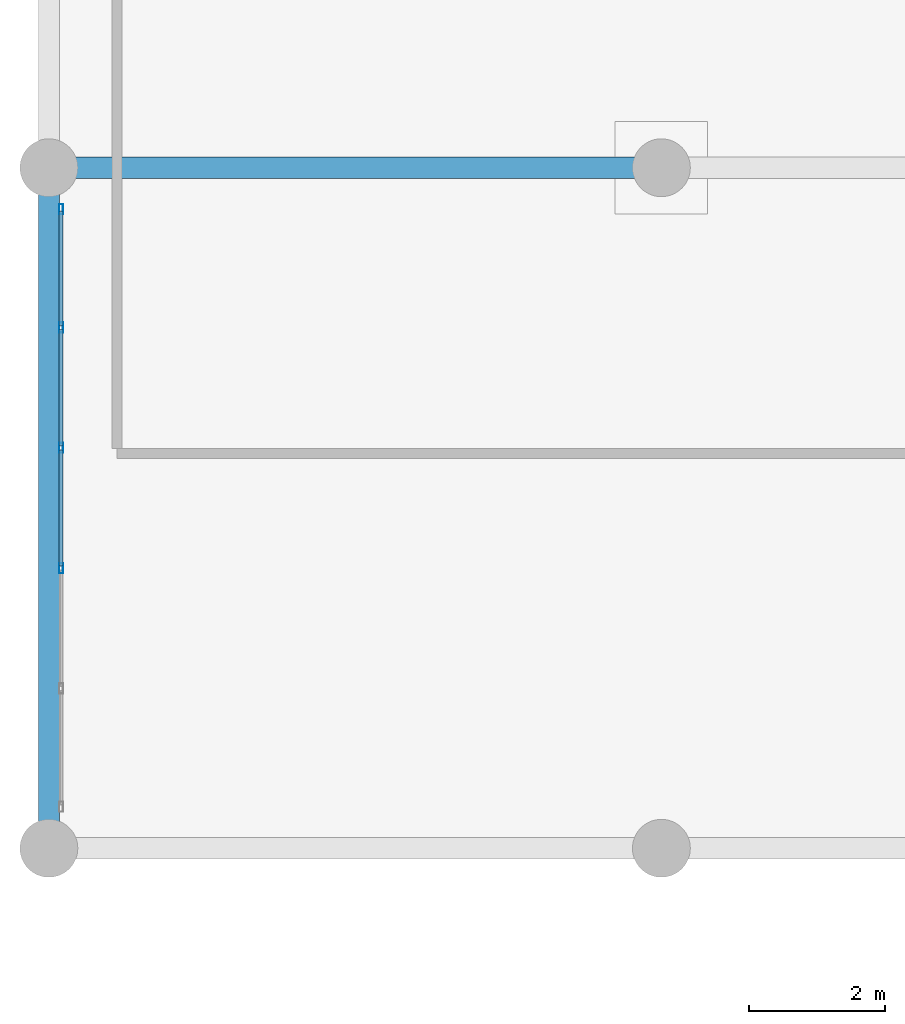
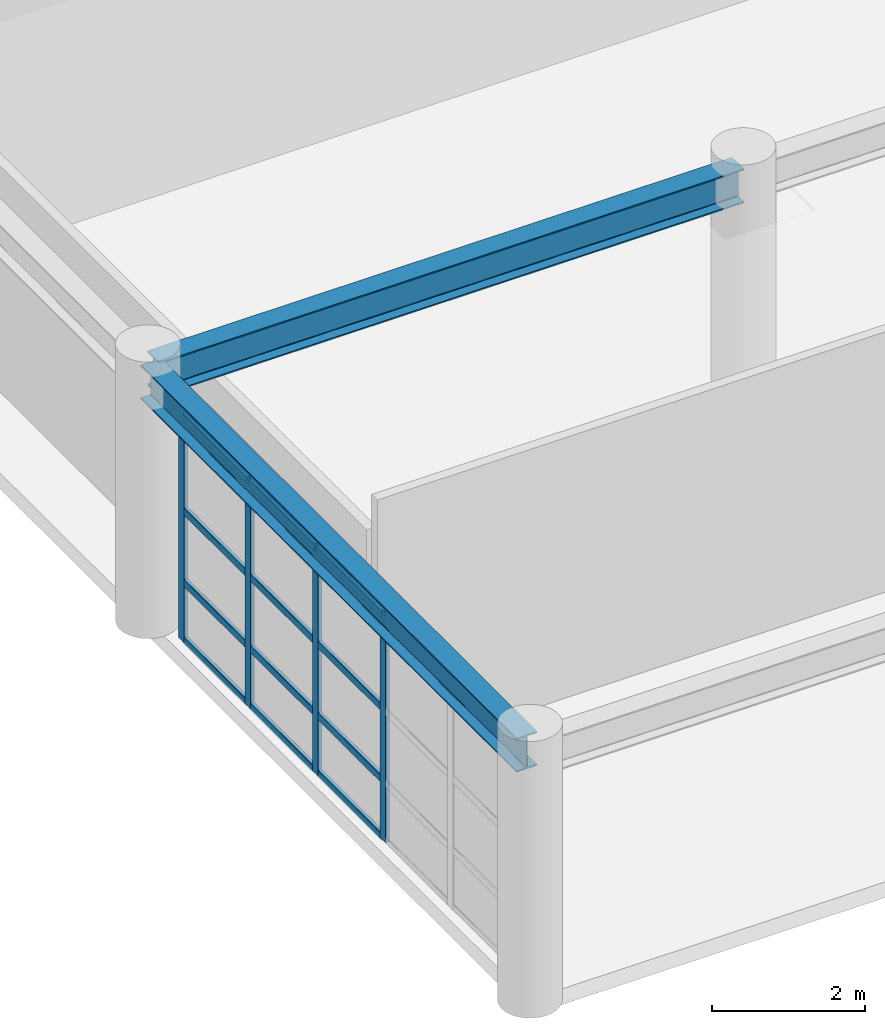
# One storey, part 52 of 133: 16 members, 2 beams, 1 element without a shape of its own.
"""IFC4 building model written with IfcOpenShell, lengths in metres."""

from ifc_helpers import new_model, si_unit, direction, frame, origin, origin_2d, place, context, subcontext, project, spatial, hollow_rectangle, i_section, extrude, material, material_profile, profile_set, type_object, element, aggregate, save


model = new_model("IFC4")

# Units and contexts
model_context = context("Model", 3, precision=1e-05, world=origin(), true_north=direction((0.0, 1.0)))
body_context = subcontext(model_context, "Body", "Model", "MODEL_VIEW")
ifc_project = project(units=[si_unit("LENGTHUNIT", "METRE"), si_unit("AREAUNIT", "SQUARE_METRE"), si_unit("VOLUMEUNIT", "CUBIC_METRE"), si_unit("PLANEANGLEUNIT", "RADIAN"), si_unit("MASSUNIT", "GRAM", prefix="KILO")], contexts=[model_context])

# Site, building, storey
site_placement = place(None, origin())
site = spatial("IfcSite", under=ifc_project, at=site_placement, CompositionType="ELEMENT")
building_placement = place(site_placement, origin())
building = spatial("IfcBuilding", under=site, at=building_placement, Name="Miravela Opera House", CompositionType="ELEMENT")
storey_placement = place(building_placement, frame((0.0, 0.0, 5.10009765625)))
storey = spatial("IfcBuildingStorey", under=building, at=storey_placement, Name="L01", CompositionType="ELEMENT", Elevation=5.10009765625)

# Curtain wall, members
ifc_material_1 = material(Name="Anodised architectural bronze aluminium 6063-T6", Category="aluminium")
curtain_wall_type = type_object("IfcCurtainWallType", Name="ARC-CW-07", PredefinedType="NOTDEFINED", material=ifc_material_1)
curtain_wall_placement = place(storey_placement, origin())
curtain_wall = element("IfcCurtainWall", 1, at=curtain_wall_placement, inside=storey, type_object=curtain_wall_type, Name="Courtyard Arcade Curtain Wall CW-L01-199", PredefinedType="NOTDEFINED")
ifc_material_profile_1 = material_profile(ifc_material_1, hollow_rectangle(XDim=0.06005859375, YDim=0.14990234375, WallThickness=0.00390625, InnerFilletRadius=0.001953125, OuterFilletRadius=0.00390625, at=origin_2d()), Name="CWM-60X150")
ifc_profile_set_1 = profile_set([ifc_material_profile_1])
member_type_1 = type_object("IfcMemberType", Name="ARC-CWM-150", PredefinedType="MULLION", material=ifc_profile_set_1)
member_1_placement = place(storey_placement, frame((0.179931640625, 88.115966796875, 0.0), z_axis=(0.0, 0.0, 1.0), x_axis=(-1.0, 0.0, 0.0)))
member_1 = element("IfcMember", 2, at=member_1_placement, type_object=member_type_1, Name="CW-07 mullion 3", PredefinedType="MULLION", context=body_context, shape_type="SweptSolid", body=[
    extrude(hollow_rectangle(XDim=0.06005859375, YDim=0.14990234375, WallThickness=0.00390625, InnerFilletRadius=0.001953125, OuterFilletRadius=0.00390625, at=origin_2d()), origin(), (0.0, 0.0, 1.0), 3.60986328125),
])
member_2_placement = place(storey_placement, frame((0.179931640625, 89.884033203125, 0.0), z_axis=(0.0, 0.0, 1.0), x_axis=(-1.0, 0.0, 0.0)))
member_2 = element("IfcMember", 3, at=member_2_placement, type_object=member_type_1, Name="CW-07 mullion 4", PredefinedType="MULLION", context=body_context, shape_type="SweptSolid", body=[
    extrude(hollow_rectangle(XDim=0.06005859375, YDim=0.14990234375, WallThickness=0.00390625, InnerFilletRadius=0.001953125, OuterFilletRadius=0.00390625, at=origin_2d()), origin(), (0.0, 0.0, 1.0), 3.60986328125),
])
member_3_placement = place(storey_placement, frame((0.179931640625, 91.652099609375, 0.0), z_axis=(0.0, 0.0, 1.0), x_axis=(-1.0, 0.0, 0.0)))
member_3 = element("IfcMember", 4, at=member_3_placement, type_object=member_type_1, Name="CW-07 mullion 5", PredefinedType="MULLION", context=body_context, shape_type="SweptSolid", body=[
    extrude(hollow_rectangle(XDim=0.06005859375, YDim=0.14990234375, WallThickness=0.00390625, InnerFilletRadius=0.001953125, OuterFilletRadius=0.00390625, at=origin_2d()), origin(), (0.0, 0.0, 1.0), 3.60986328125),
])
member_4_placement = place(storey_placement, frame((0.179931640625, 93.389892578125, 0.0), z_axis=(0.0, 0.0, 1.0), x_axis=(-1.0, 0.0, 0.0)))
member_4 = element("IfcMember", 5, at=member_4_placement, type_object=member_type_1, Name="CW-07 mullion 6", PredefinedType="MULLION", context=body_context, shape_type="SweptSolid", body=[
    extrude(hollow_rectangle(XDim=0.06005859375, YDim=0.14990234375, WallThickness=0.00390625, InnerFilletRadius=0.001953125, OuterFilletRadius=0.00390625, at=origin_2d()), origin(), (0.0, 0.0, 1.0), 3.60986328125),
])
ifc_material_profile_2 = material_profile(ifc_material_1, hollow_rectangle(XDim=0.06005859375, YDim=0.114990234375, WallThickness=0.00390625, InnerFilletRadius=0.001953125, OuterFilletRadius=0.00390625, at=origin_2d()), Name="CWT-60X115")
ifc_profile_set_2 = profile_set([ifc_material_profile_2])
member_type_2 = type_object("IfcMemberType", Name="ARC-CWT-115", PredefinedType="USERDEFINED", material=ifc_profile_set_2)
member_5_placement = place(storey_placement, frame((0.179931640625, 88.14599609375, 0.02978515625), z_axis=(0.0, 1.0, 0.0), x_axis=(-1.0, 0.0, 0.0)))
member_5 = element("IfcMember", 6, at=member_5_placement, type_object=member_type_2, Name="CW-07 transom 3.1", ObjectType="TRANSOM", PredefinedType="USERDEFINED", context=body_context, shape_type="SweptSolid", body=[
    extrude(hollow_rectangle(XDim=0.06005859375, YDim=0.114990234375, WallThickness=0.00390625, InnerFilletRadius=0.001953125, OuterFilletRadius=0.00390625, at=origin_2d()), origin(), (0.0, 0.0, 1.0), 1.7080078125),
])
member_6_placement = place(storey_placement, frame((0.179931640625, 88.14599609375, 0.949951171875), z_axis=(0.0, 1.0, 0.0), x_axis=(-1.0, 0.0, 0.0)))
member_6 = element("IfcMember", 7, at=member_6_placement, type_object=member_type_2, Name="CW-07 transom 3.2", ObjectType="TRANSOM", PredefinedType="USERDEFINED", context=body_context, shape_type="SweptSolid", body=[
    extrude(hollow_rectangle(XDim=0.06005859375, YDim=0.114990234375, WallThickness=0.00390625, InnerFilletRadius=0.001953125, OuterFilletRadius=0.00390625, at=origin_2d()), origin(), (0.0, 0.0, 1.0), 1.7080078125),
])
member_7_placement = place(storey_placement, frame((0.179931640625, 88.14599609375, 2.09375), z_axis=(0.0, 1.0, 0.0), x_axis=(-1.0, 0.0, 0.0)))
member_7 = element("IfcMember", 8, at=member_7_placement, type_object=member_type_2, Name="CW-07 transom 3.3", ObjectType="TRANSOM", PredefinedType="USERDEFINED", context=body_context, shape_type="SweptSolid", body=[
    extrude(hollow_rectangle(XDim=0.06005859375, YDim=0.114990234375, WallThickness=0.00390625, InnerFilletRadius=0.001953125, OuterFilletRadius=0.00390625, at=origin_2d()), origin(), (0.0, 0.0, 1.0), 1.7080078125),
])
member_8_placement = place(storey_placement, frame((0.179931640625, 88.14599609375, 3.579833984375), z_axis=(0.0, 1.0, 0.0), x_axis=(-1.0, 0.0, 0.0)))
member_8 = element("IfcMember", 9, at=member_8_placement, type_object=member_type_2, Name="CW-07 transom 3.4", ObjectType="TRANSOM", PredefinedType="USERDEFINED", context=body_context, shape_type="SweptSolid", body=[
    extrude(hollow_rectangle(XDim=0.06005859375, YDim=0.114990234375, WallThickness=0.00390625, InnerFilletRadius=0.001953125, OuterFilletRadius=0.00390625, at=origin_2d()), origin(), (0.0, 0.0, 1.0), 1.7080078125),
])
member_9_placement = place(storey_placement, frame((0.179931640625, 89.9140625, 0.02978515625), z_axis=(0.0, 1.0, 0.0), x_axis=(-1.0, 0.0, 0.0)))
member_9 = element("IfcMember", 10, at=member_9_placement, type_object=member_type_2, Name="CW-07 transom 4.1", ObjectType="TRANSOM", PredefinedType="USERDEFINED", context=body_context, shape_type="SweptSolid", body=[
    extrude(hollow_rectangle(XDim=0.06005859375, YDim=0.114990234375, WallThickness=0.00390625, InnerFilletRadius=0.001953125, OuterFilletRadius=0.00390625, at=origin_2d()), origin(), (0.0, 0.0, 1.0), 1.7080078125),
])
member_10_placement = place(storey_placement, frame((0.179931640625, 89.9140625, 0.949951171875), z_axis=(0.0, 1.0, 0.0), x_axis=(-1.0, 0.0, 0.0)))
member_10 = element("IfcMember", 11, at=member_10_placement, type_object=member_type_2, Name="CW-07 transom 4.2", ObjectType="TRANSOM", PredefinedType="USERDEFINED", context=body_context, shape_type="SweptSolid", body=[
    extrude(hollow_rectangle(XDim=0.06005859375, YDim=0.114990234375, WallThickness=0.00390625, InnerFilletRadius=0.001953125, OuterFilletRadius=0.00390625, at=origin_2d()), origin(), (0.0, 0.0, 1.0), 1.7080078125),
])
member_11_placement = place(storey_placement, frame((0.179931640625, 89.9140625, 2.09375), z_axis=(0.0, 1.0, 0.0), x_axis=(-1.0, 0.0, 0.0)))
member_11 = element("IfcMember", 12, at=member_11_placement, type_object=member_type_2, Name="CW-07 transom 4.3", ObjectType="TRANSOM", PredefinedType="USERDEFINED", context=body_context, shape_type="SweptSolid", body=[
    extrude(hollow_rectangle(XDim=0.06005859375, YDim=0.114990234375, WallThickness=0.00390625, InnerFilletRadius=0.001953125, OuterFilletRadius=0.00390625, at=origin_2d()), origin(), (0.0, 0.0, 1.0), 1.7080078125),
])
member_12_placement = place(storey_placement, frame((0.179931640625, 89.9140625, 3.579833984375), z_axis=(0.0, 1.0, 0.0), x_axis=(-1.0, 0.0, 0.0)))
member_12 = element("IfcMember", 13, at=member_12_placement, type_object=member_type_2, Name="CW-07 transom 4.4", ObjectType="TRANSOM", PredefinedType="USERDEFINED", context=body_context, shape_type="SweptSolid", body=[
    extrude(hollow_rectangle(XDim=0.06005859375, YDim=0.114990234375, WallThickness=0.00390625, InnerFilletRadius=0.001953125, OuterFilletRadius=0.00390625, at=origin_2d()), origin(), (0.0, 0.0, 1.0), 1.7080078125),
])
member_13_placement = place(storey_placement, frame((0.179931640625, 91.681884765625, 0.02978515625), z_axis=(0.0, 1.0, 0.0), x_axis=(-1.0, 0.0, 0.0)))
member_13 = element("IfcMember", 14, at=member_13_placement, type_object=member_type_2, Name="CW-07 transom 5.1", ObjectType="TRANSOM", PredefinedType="USERDEFINED", context=body_context, shape_type="SweptSolid", body=[
    extrude(hollow_rectangle(XDim=0.06005859375, YDim=0.114990234375, WallThickness=0.00390625, InnerFilletRadius=0.001953125, OuterFilletRadius=0.00390625, at=origin_2d()), origin(), (0.0, 0.0, 1.0), 1.67822265625),
])
member_14_placement = place(storey_placement, frame((0.179931640625, 91.681884765625, 0.949951171875), z_axis=(0.0, 1.0, 0.0), x_axis=(-1.0, 0.0, 0.0)))
member_14 = element("IfcMember", 15, at=member_14_placement, type_object=member_type_2, Name="CW-07 transom 5.2", ObjectType="TRANSOM", PredefinedType="USERDEFINED", context=body_context, shape_type="SweptSolid", body=[
    extrude(hollow_rectangle(XDim=0.06005859375, YDim=0.114990234375, WallThickness=0.00390625, InnerFilletRadius=0.001953125, OuterFilletRadius=0.00390625, at=origin_2d()), origin(), (0.0, 0.0, 1.0), 1.67822265625),
])
member_15_placement = place(storey_placement, frame((0.179931640625, 91.681884765625, 2.09375), z_axis=(0.0, 1.0, 0.0), x_axis=(-1.0, 0.0, 0.0)))
member_15 = element("IfcMember", 16, at=member_15_placement, type_object=member_type_2, Name="CW-07 transom 5.3", ObjectType="TRANSOM", PredefinedType="USERDEFINED", context=body_context, shape_type="SweptSolid", body=[
    extrude(hollow_rectangle(XDim=0.06005859375, YDim=0.114990234375, WallThickness=0.00390625, InnerFilletRadius=0.001953125, OuterFilletRadius=0.00390625, at=origin_2d()), origin(), (0.0, 0.0, 1.0), 1.67822265625),
])
member_16_placement = place(storey_placement, frame((0.179931640625, 91.681884765625, 3.579833984375), z_axis=(0.0, 1.0, 0.0), x_axis=(-1.0, 0.0, 0.0)))
member_16 = element("IfcMember", 17, at=member_16_placement, type_object=member_type_2, Name="CW-07 transom 5.4", ObjectType="TRANSOM", PredefinedType="USERDEFINED", context=body_context, shape_type="SweptSolid", body=[
    extrude(hollow_rectangle(XDim=0.06005859375, YDim=0.114990234375, WallThickness=0.00390625, InnerFilletRadius=0.001953125, OuterFilletRadius=0.00390625, at=origin_2d()), origin(), (0.0, 0.0, 1.0), 1.67822265625),
])
aggregate(curtain_wall, [member_1, member_2, member_3, member_4, member_5, member_6, member_7, member_8, member_9, member_10, member_11, member_12, member_13, member_14, member_15, member_16])

# Beams
ifc_material_2 = material(Name="Structural steel ASTM A992 Gr. 50", Category="steel")
ifc_material_profile_3 = material_profile(ifc_material_2, i_section(OverallWidth=0.31201171875, OverallDepth=0.54296875, WebThickness=0.0126953125, FlangeThickness=0.020263671875, FilletRadius=0.01611328125, at=origin_2d()), Name="W530X150")
ifc_profile_set_3 = profile_set([ifc_material_profile_3])
beam_type = type_object("IfcBeamType", Name="STR-BM-W530X150", PredefinedType="BEAM", material=ifc_profile_set_3)
beam_1_placement = place(storey_placement, frame((0.0, 84.080078125, 3.908447265625), z_axis=(0.0, 1.0, 0.0), x_axis=(-1.0, 0.0, 0.0)))
element("IfcBeam", 18, at=beam_1_placement, inside=storey, type_object=beam_type, Name="Roof Eave Girder ROOF-V5-NORTH W1", PredefinedType="BEAM", context=body_context, shape_type="SweptSolid", body=[
    extrude(i_section(OverallWidth=0.31201171875, OverallDepth=0.54296875, WebThickness=0.0126953125, FlangeThickness=0.020263671875, FilletRadius=0.01611328125, at=origin_2d()), origin(), (0.0, 0.0, 1.0), 9.83984375),
])
beam_2_placement = place(storey_placement, frame((0.080078125, 94.0, 3.908447265625), z_axis=(1.0, 0.0, 0.0), x_axis=(0.0, 1.0, 0.0)))
element("IfcBeam", 19, at=beam_2_placement, inside=storey, type_object=beam_type, Name="Roof King-Post Transverse Tie Girder ROOF-V5-NORTH T1.1", PredefinedType="BEAM", context=body_context, shape_type="SweptSolid", body=[
    extrude(i_section(OverallWidth=0.31201171875, OverallDepth=0.54296875, WebThickness=0.0126953125, FlangeThickness=0.020263671875, FilletRadius=0.01611328125, at=origin_2d()), origin(), (0.0, 0.0, 1.0), 8.83984375),
])

save(model, "model.ifc")
